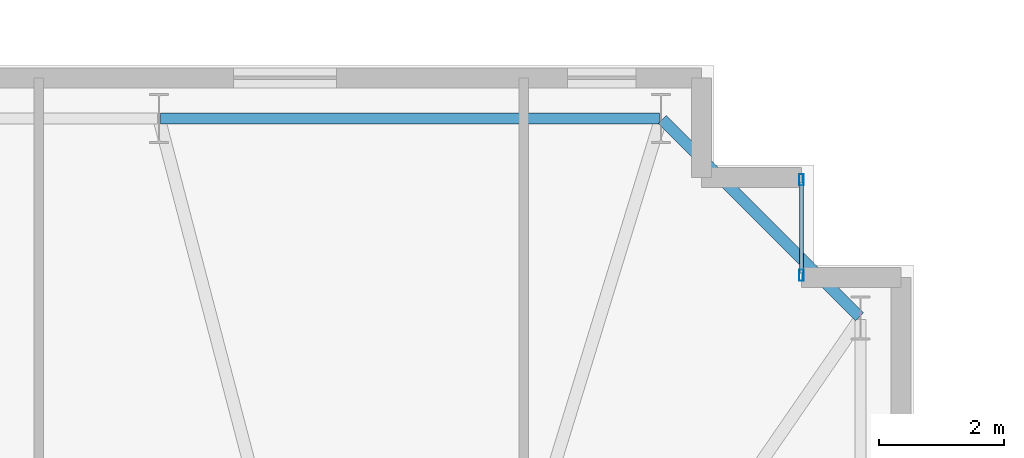
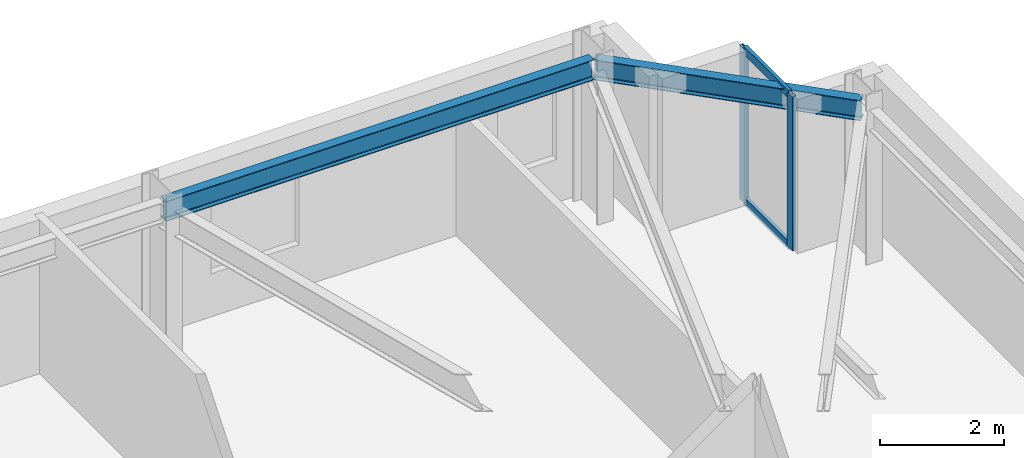
# One storey, part 9 of 17: 4 members, 2 beams, 1 element without a shape of its own.
"""IFC4 building model written with IfcOpenShell, lengths in metres."""

from ifc_helpers import new_model, si_unit, direction, frame, origin, origin_2d, place, context, subcontext, project, spatial, hollow_rectangle, i_section, extrude, material, layer, layer_set, material_profile, profile_set, type_object, element, aggregate, save


model = new_model("IFC4")

# Units and contexts
model_context = context("Model", 3, precision=1e-05, world=origin(), true_north=direction((0.0, 1.0)))
body_context = subcontext(model_context, "Body", "Model", "MODEL_VIEW")
ifc_project = project(units=[si_unit("LENGTHUNIT", "METRE"), si_unit("AREAUNIT", "SQUARE_METRE"), si_unit("VOLUMEUNIT", "CUBIC_METRE"), si_unit("PLANEANGLEUNIT", "RADIAN"), si_unit("MASSUNIT", "GRAM", prefix="KILO")], contexts=[model_context])

# Site, building, storey
site_placement = place(None, origin())
site = spatial("IfcSite", under=ifc_project, at=site_placement, CompositionType="ELEMENT")
building_placement = place(site_placement, origin())
building = spatial("IfcBuilding", under=site, at=building_placement, Name="Qobustan Lattice House", CompositionType="ELEMENT")
storey_placement = place(building_placement, frame((0.0, 0.0, 164.5)))
storey = spatial("IfcBuildingStorey", under=building, at=storey_placement, Name="L46", CompositionType="ELEMENT", Elevation=164.5)

# Beams
ifc_material_1 = material(Name="Steel S355", Category="steel")
ifc_material_profile_1 = material_profile(ifc_material_1, i_section(OverallWidth=0.179931640625, OverallDepth=0.39990234375, WebThickness=0.008544921875, FlangeThickness=0.013427734375, FilletRadius=0.02099609375, at=origin_2d()), Name="IPE400")
ifc_profile_set_1 = profile_set([ifc_material_profile_1], Name="Steel S355")
beam_type = type_object("IfcBeamType", Name="BM-SPD-IPE400", PredefinedType="SPANDREL", material=ifc_profile_set_1)
beam_1_placement = place(storey_placement, frame((26.332275390625, 16.567626953125, 2.840087890625), z_axis=(-0.707079505568, 0.707134055753, 0.0), x_axis=(-0.707134055753, -0.707079505568, 0.0)))
element("IfcBeam", 1, at=beam_1_placement, inside=storey, type_object=beam_type, Name="L46 perimeter spandrel E4-N1", PredefinedType="SPANDREL", context=body_context, shape_type="SweptSolid", body=[
    extrude(i_section(OverallWidth=0.179931640625, OverallDepth=0.39990234375, WebThickness=0.008544921875, FlangeThickness=0.013427734375, FilletRadius=0.02099609375, at=origin_2d()), origin(), (0.0, 0.0, 1.0), 4.4755859375),
])
beam_2_placement = place(storey_placement, frame((23.125, 19.75, 2.840087890625), z_axis=(-1.0, 0.0, 0.0), x_axis=(0.0, -1.0, 0.0)))
element("IfcBeam", 2, at=beam_2_placement, inside=storey, type_object=beam_type, Name="L46 perimeter spandrel N1-N2", PredefinedType="SPANDREL", context=body_context, shape_type="SweptSolid", body=[
    extrude(i_section(OverallWidth=0.179931640625, OverallDepth=0.39990234375, WebThickness=0.008544921875, FlangeThickness=0.013427734375, FilletRadius=0.02099609375, at=origin_2d()), origin(), (0.0, 0.0, 1.0), 8.0),
])

# Curtain wall, members
ifc_material_2 = material(Name="Anodised aluminium and low-E glazing", Category="aluminium")
ifc_layer = layer(ifc_material_2, 0.219970703125)
ifc_layer_set = layer_set([ifc_layer], Name="Anodised aluminium and low-E glazing")
curtain_wall_type = type_object("IfcCurtainWallType", Name="CW-FAC-02", PredefinedType="USERDEFINED", material=ifc_layer_set)
curtain_wall_placement = place(storey_placement, origin())
curtain_wall = element("IfcCurtainWall", 3, at=curtain_wall_placement, inside=storey, type_object=curtain_wall_type, Name="L46 serrated corner faceted glazing 13", ObjectType="CURTAIN WALL", PredefinedType="USERDEFINED")
ifc_material_3 = material(Name="Anodised aluminium EN AW-6063 T6", Category="aluminium")
ifc_material_profile_2 = material_profile(ifc_material_3, hollow_rectangle(XDim=0.070068359375, YDim=0.179931640625, WallThickness=0.00439453125, at=origin_2d()), Name="CWM-180x70")
ifc_profile_set_2 = profile_set([ifc_material_profile_2], Name="Anodised aluminium EN AW-6063 T6")
member_type_1 = type_object("IfcMemberType", Name="CWM-STD-180", PredefinedType="MULLION", material=ifc_profile_set_2)
member_1_placement = place(storey_placement, frame((25.39990234375, 18.764892578125, 0.0), z_axis=(0.0, 0.0, 1.0), x_axis=(1.0, 0.0, 0.0)))
member_1 = element("IfcMember", 4, at=member_1_placement, type_object=member_type_1, Name="CW-F2 mullion 1", PredefinedType="MULLION", context=body_context, shape_type="SweptSolid", body=[
    extrude(hollow_rectangle(XDim=0.070068359375, YDim=0.179931640625, WallThickness=0.00439453125, at=origin_2d()), origin(), (0.0, 0.0, 1.0), 3.0400390625),
])
member_2_placement = place(storey_placement, frame((25.39990234375, 17.235107421875, 0.0), z_axis=(0.0, 0.0, 1.0), x_axis=(1.0, 0.0, 0.0)))
member_2 = element("IfcMember", 5, at=member_2_placement, type_object=member_type_1, Name="CW-F2 mullion 2", PredefinedType="MULLION", context=body_context, shape_type="SweptSolid", body=[
    extrude(hollow_rectangle(XDim=0.070068359375, YDim=0.179931640625, WallThickness=0.00439453125, at=origin_2d()), origin(), (0.0, 0.0, 1.0), 3.0400390625),
])
ifc_material_4 = material(Name="Anodised aluminium EN AW-6063 T6", Category="aluminium")
ifc_material_profile_3 = material_profile(ifc_material_4, hollow_rectangle(XDim=0.06494140625, YDim=0.159912109375, WallThickness=0.00390625, at=origin_2d()), Name="CWT-160x65")
ifc_profile_set_3 = profile_set([ifc_material_profile_3], Name="Anodised aluminium EN AW-6063 T6")
member_type_2 = type_object("IfcMemberType", Name="CWT-HOR-160", PredefinedType="USERDEFINED", material=ifc_profile_set_3)
member_3_placement = place(storey_placement, frame((25.39990234375, 18.72998046875, 0.032470703125), z_axis=(0.0, -1.0, 0.0), x_axis=(1.0, 0.0, 0.0)))
member_3 = element("IfcMember", 6, at=member_3_placement, type_object=member_type_2, Name="CW-F2 transom 1.1", ObjectType="TRANSOM", PredefinedType="USERDEFINED", context=body_context, shape_type="SweptSolid", body=[
    extrude(hollow_rectangle(XDim=0.06494140625, YDim=0.159912109375, WallThickness=0.00390625, at=origin_2d()), origin(), (0.0, 0.0, 1.0), 1.4599609375),
])
member_4_placement = place(storey_placement, frame((25.39990234375, 18.72998046875, 3.007568359375), z_axis=(0.0, -1.0, 0.0), x_axis=(1.0, 0.0, 0.0)))
member_4 = element("IfcMember", 7, at=member_4_placement, type_object=member_type_2, Name="CW-F2 transom 1.2", ObjectType="TRANSOM", PredefinedType="USERDEFINED", context=body_context, shape_type="SweptSolid", body=[
    extrude(hollow_rectangle(XDim=0.06494140625, YDim=0.159912109375, WallThickness=0.00390625, at=origin_2d()), origin(), (0.0, 0.0, 1.0), 1.4599609375),
])
aggregate(curtain_wall, [member_1, member_2, member_3, member_4])

save(model, "model.ifc")
